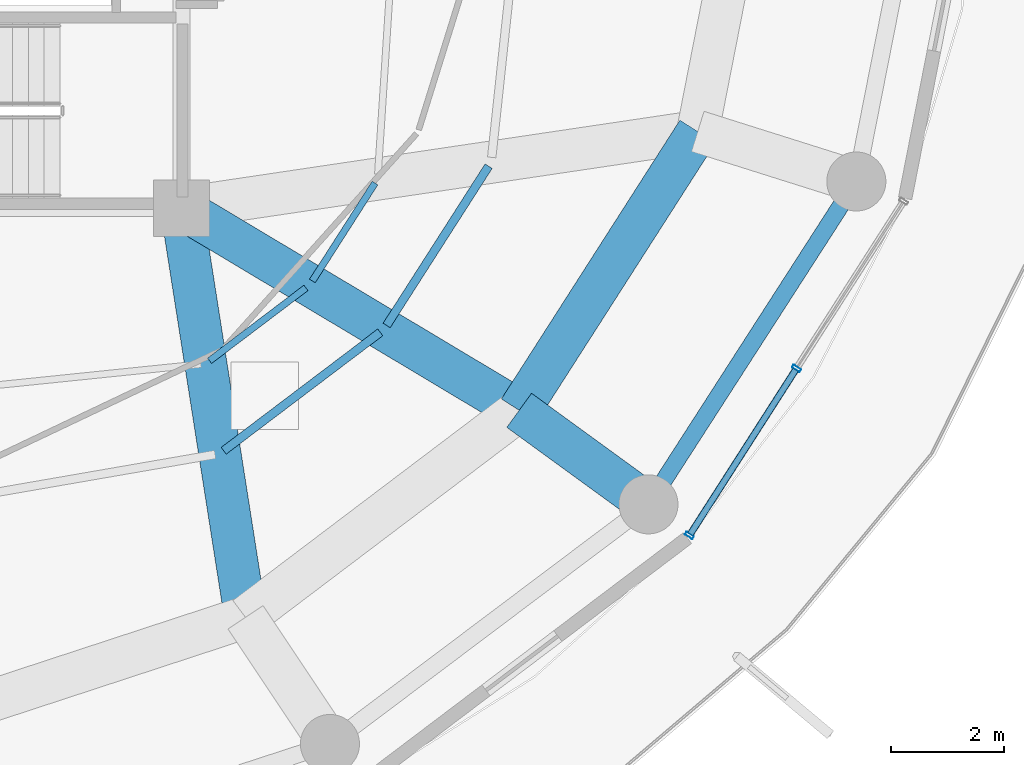
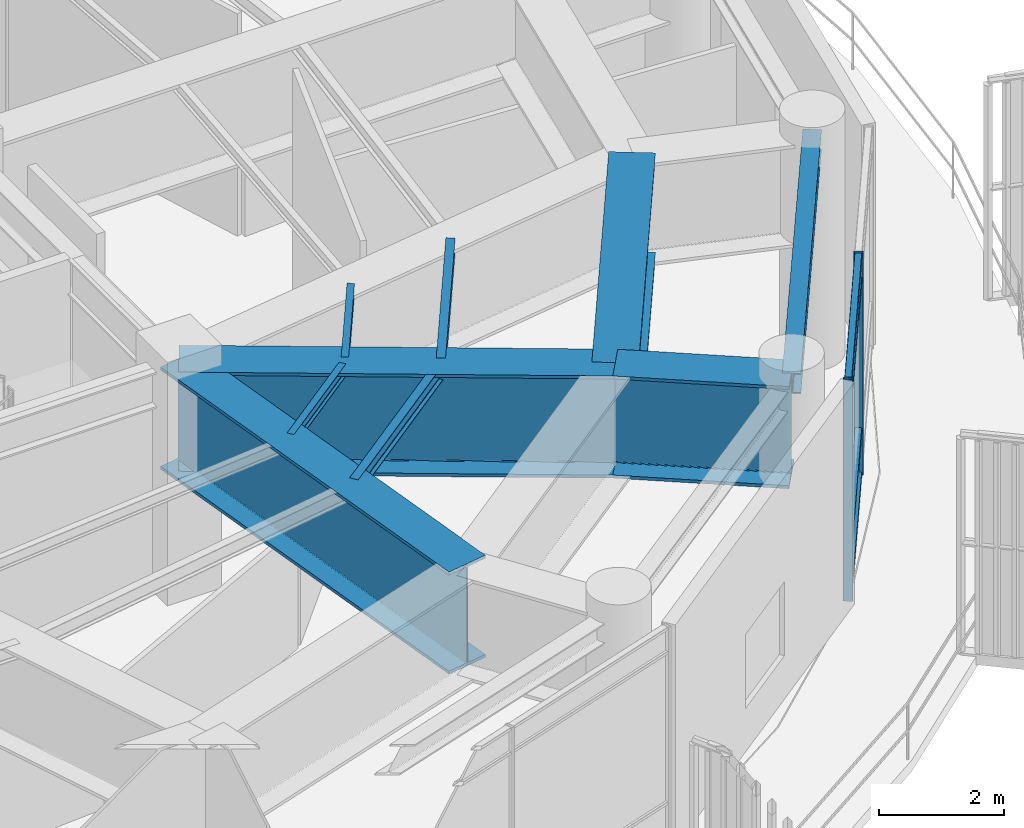
# One storey, part 11 of 29: 9 beams, 6 members, 1 element without a shape of its own.
"""IFC4 building model written with IfcOpenShell, lengths in metres."""

import ifcopenshell
import ifcopenshell.guid

model = None  # the IFC model being written
_history = None  # IfcOwnerHistory: only IFC2X3 demands one
_inside = {}  # id of a spatial element -> (the spatial element, [elements in it])
_under = {}  # id of a project, library or spatial element -> (it, [spatial elements below it])
_declared = {}  # id of a project -> (the project, [libraries it declares])
_typed = {}  # id of a type object -> (the type object, [elements of that type])
_made_of = {}  # id of a material, layer set ... -> (it, [elements and type objects made of it])


def new_model(schema):
    """Start an empty IFC model of exactly this schema.

    Asked for "IFC4X3", IfcOpenShell would pick the latest addendum, in which some entities
    have other attributes; the version numbers below select the first issue.
    IFC2X3 requires an IfcOwnerHistory on every rooted entity: one is made here for all.
    """
    global model, _history
    if schema == "IFC4X3":
        model = ifcopenshell.file(schema_version=(4, 3, 0, 0))
    else:
        model = ifcopenshell.file(schema=schema)
    _inside.clear()
    _under.clear()
    _declared.clear()
    _typed.clear()
    _made_of.clear()
    _history = None
    if model.schema == "IFC2X3":
        org = make("IfcOrganization", Name="unknown")
        user = make(
            "IfcPersonAndOrganization",
            ThePerson=make("IfcPerson", FamilyName="unknown"),
            TheOrganization=org,
        )
        app = make(
            "IfcApplication",
            ApplicationDeveloper=org,
            Version="unknown",
            ApplicationFullName="unknown",
            ApplicationIdentifier="unknown",
        )
        _history = make(
            "IfcOwnerHistory",
            OwningUser=user,
            OwningApplication=app,
            ChangeAction="ADDED",
            CreationDate=0,
        )
    return model


def make(cls, **values):
    """One entity of the class cls with the attributes given. An attribute that is None is left unset."""
    return model.create_entity(
        cls, **{name: value for name, value in values.items() if value is not None}
    )


def rooted(cls, **values):
    """An entity with a GlobalId (a new one), such as an element, a storey or a relation."""
    return make(cls, GlobalId=ifcopenshell.guid.new(), OwnerHistory=_history, **values)


def si_unit(unit_type, name, prefix=None):
    """IfcSIUnit, for example si_unit("LENGTHUNIT", "METRE", prefix="MILLI")."""
    return make("IfcSIUnit", UnitType=unit_type, Prefix=prefix, Name=name)


def assignment(units):
    """IfcUnitAssignment: the units of a project."""
    return None if units is None else make("IfcUnitAssignment", Units=units)


def point(xyz):
    """IfcCartesianPoint."""
    return None if xyz is None else make("IfcCartesianPoint", Coordinates=xyz)


def direction(xyz):
    """IfcDirection."""
    return None if xyz is None else make("IfcDirection", DirectionRatios=xyz)


def frame(location, z_axis=None, x_axis=None):
    """IfcAxis2Placement3D, a coordinate frame: its origin and axes. An axis left out is left unset."""
    return make(
        "IfcAxis2Placement3D",
        Location=point(location),
        Axis=direction(z_axis),
        RefDirection=direction(x_axis),
    )


def frame_2d(location, x_axis=None):
    """IfcAxis2Placement2D, a coordinate frame in the plane: its origin and x axis."""
    return make(
        "IfcAxis2Placement2D", Location=point(location), RefDirection=direction(x_axis)
    )


def origin():
    """The frame at (0, 0, 0) with its axes left unset."""
    return frame((0.0, 0.0, 0.0))


def origin_2d():
    """The frame at (0, 0) in the plane with its x axis left unset."""
    return frame_2d((0.0, 0.0))


def place(relative_to, where):
    """IfcLocalPlacement: puts the frame where relative to a parent placement (None: the world)."""
    return make(
        "IfcLocalPlacement", PlacementRelTo=relative_to, RelativePlacement=where
    )


def context(
    kind, dimensions, precision=None, world=None, true_north=None, identifier=None
):
    """IfcGeometricRepresentationContext, for example the 3D "Model" context."""
    return make(
        "IfcGeometricRepresentationContext",
        ContextIdentifier=identifier,
        ContextType=kind,
        CoordinateSpaceDimension=dimensions,
        Precision=precision,
        WorldCoordinateSystem=world,
        TrueNorth=true_north,
    )


def subcontext(parent, identifier, kind, view, scale=None):
    """IfcGeometricRepresentationSubContext, for example "Body" below "Model"."""
    return make(
        "IfcGeometricRepresentationSubContext",
        ContextIdentifier=identifier,
        ContextType=kind,
        ParentContext=parent,
        TargetScale=scale,
        TargetView=view,
    )


def project(units=None, contexts=None):
    """IfcProject with its units and contexts."""
    return rooted(
        "IfcProject",
        Name="project",
        RepresentationContexts=contexts,
        UnitsInContext=assignment(units),
    )


def spatial(cls, under=None, at=None, **own):
    """A site, building, storey or space (cls), placed at a placement, below another one or the project."""
    s = rooted(cls, ObjectPlacement=at, **own)
    if under is not None:
        _under.setdefault(under.id(), (under, []))[1].append(s)
    return s


def profile(cls, at=None, kind="AREA", **sizes):
    """A parametric profile (cls). Its sizes go by their IFC names, for example OverallWidth=200.0."""
    return make(cls, ProfileType=kind, Position=at, **sizes)


def hollow_rectangle(**sizes):
    """IfcRectangleHollowProfileDef."""
    return profile("IfcRectangleHollowProfileDef", **sizes)


def i_section(**sizes):
    """IfcIShapeProfileDef."""
    return profile("IfcIShapeProfileDef", **sizes)


def extrude(swept, where, along, depth):
    """IfcExtrudedAreaSolid: the profile swept, set in the frame where, extruded along a direction by depth."""
    return make(
        "IfcExtrudedAreaSolid",
        SweptArea=swept,
        Position=where,
        ExtrudedDirection=direction(along),
        Depth=depth,
    )


def shape(context_of_items, identifier, shape_type, items):
    """IfcShapeRepresentation: the items that make up one representation, for example the "Body"."""
    return make(
        "IfcShapeRepresentation",
        ContextOfItems=context_of_items,
        RepresentationIdentifier=identifier,
        RepresentationType=shape_type,
        Items=items,
    )


def material(Name=None, Category=None):
    """IfcMaterial."""
    return make("IfcMaterial", Name=Name, Category=Category)


def layer(
    of_material, thickness, ventilated=None, Name=None, Category=None, Priority=None
):
    """IfcMaterialLayer: one layer of a wall or slab, of a material (None: an air gap)."""
    return make(
        "IfcMaterialLayer",
        Material=of_material,
        LayerThickness=thickness,
        IsVentilated=ventilated,
        Name=Name,
        Category=Category,
        Priority=Priority,
    )


def layer_set(layers, Name=None):
    """IfcMaterialLayerSet."""
    return make("IfcMaterialLayerSet", MaterialLayers=layers, LayerSetName=Name)


def material_profile(
    of_material, cross_section, Name=None, Category=None, Priority=None
):
    """IfcMaterialProfile: a cross section and its material."""
    return make(
        "IfcMaterialProfile",
        Name=Name,
        Material=of_material,
        Profile=cross_section,
        Priority=Priority,
        Category=Category,
    )


def profile_set(profiles, Name=None, composite=None):
    """IfcMaterialProfileSet."""
    return make(
        "IfcMaterialProfileSet",
        Name=Name,
        MaterialProfiles=profiles,
        CompositeProfile=composite,
    )


def made_of(thing, what):
    """Note that an element or type object is made of a material, layer set ...; save() writes the relation."""
    if what is not None:
        _made_of.setdefault(what.id(), (what, []))[1].append(thing)
    return thing


def type_object(cls, material=None, **own):
    """A type object (cls), such as IfcWallType, which elements share."""
    return made_of(rooted(cls, **own), material)


def element(
    cls,
    number,
    at=None,
    inside=None,
    cuts=None,
    type_object=None,
    material=None,
    context=None,
    identifier="Body",
    shape_type=None,
    held_by="IfcProductDefinitionShape",
    body=None,
    shapes=None,
    **own,
):
    """One element of the class cls, such as IfcWall. Its Tag is "e" and its number.

    at: its placement. inside: the storey or other place that contains it. cuts: it is an
    opening in that element (IfcRelVoidsElement). A single representation is given by context,
    identifier, shape_type and body (its items); several are given by shapes. held_by: the class
    of the entity that holds the representations. save() writes the other relations.
    """
    e = rooted(cls, Tag="e%d" % number, ObjectPlacement=at, **own)
    if body is not None:
        shapes = [shape(context, identifier, shape_type, body)]
    if shapes is not None:
        e.Representation = make(held_by, Representations=shapes)
    if inside is not None:
        _inside.setdefault(inside.id(), (inside, []))[1].append(e)
    if cuts is not None:
        rooted(
            "IfcRelVoidsElement", RelatingBuildingElement=cuts, RelatedOpeningElement=e
        )
    if type_object is not None:
        _typed.setdefault(type_object.id(), (type_object, []))[1].append(e)
    return made_of(e, material)


def aggregate(whole, parts):
    """IfcRelAggregates: a whole, such as a stair, and the parts it consists of."""
    return rooted("IfcRelAggregates", RelatingObject=whole, RelatedObjects=parts)


def save(model, path):
    """Write the relations noted so far, then the file.

    IfcRelAggregates (storeys below a building ...), IfcRelContainedInSpatialStructure (elements
    in a storey), IfcRelDefinesByType, IfcRelAssociatesMaterial and IfcRelDeclares: one each for
    every whole, place, type object, material and project.
    """
    for whole, parts in _under.values():
        aggregate(whole, parts)
    for where, things in _inside.values():
        rooted(
            "IfcRelContainedInSpatialStructure",
            RelatedElements=things,
            RelatingStructure=where,
        )
    for kind, things in _typed.values():
        rooted("IfcRelDefinesByType", RelatedObjects=things, RelatingType=kind)
    for what, things in _made_of.values():
        rooted("IfcRelAssociatesMaterial", RelatedObjects=things, RelatingMaterial=what)
    for by, libraries in _declared.values():
        rooted("IfcRelDeclares", RelatingContext=by, RelatedDefinitions=libraries)
    model.write(path)


model = new_model("IFC4")

# Units and contexts
model_context = context("Model", 3, precision=1e-05, world=origin(), true_north=direction((0.0, 1.0)))
body_context = subcontext(model_context, "Body", "Model", "MODEL_VIEW")
ifc_project = project(units=[si_unit("LENGTHUNIT", "METRE"), si_unit("AREAUNIT", "SQUARE_METRE"), si_unit("VOLUMEUNIT", "CUBIC_METRE"), si_unit("PLANEANGLEUNIT", "RADIAN"), si_unit("MASSUNIT", "GRAM", prefix="KILO")], contexts=[model_context])

# Site, building, storey
site_placement = place(None, origin())
site = spatial("IfcSite", under=ifc_project, at=site_placement, CompositionType="ELEMENT")
building_placement = place(site_placement, origin())
building = spatial("IfcBuilding", under=site, at=building_placement, Name="Kelanora Arch Commons", CompositionType="ELEMENT")
storey_placement = place(building_placement, frame((0.0, 0.0, 238.199951171875)))
storey = spatial("IfcBuildingStorey", under=building, at=storey_placement, Name="L61", CompositionType="ELEMENT", Elevation=238.199951171875)

# Beams
ifc_material_1 = material(Name="Steel S355", Category="steel")
ifc_material_profile_1 = material_profile(ifc_material_1, i_section(OverallWidth=0.14990234375, OverallDepth=0.300048828125, WebThickness=0.007080078125, FlangeThickness=0.0107421875, FilletRadius=0.014892578125, at=origin_2d()), Name="IPE300")
ifc_profile_set_1 = profile_set([ifc_material_profile_1], Name="Steel S355")
beam_type_1 = type_object("IfcBeamType", Name="BM-JST-01", PredefinedType="JOIST", material=ifc_profile_set_1)
beam_1_placement = place(storey_placement, frame((82.751708984375, 46.68798828125, 4.2099609375), z_axis=(0.797499198801, 0.603320004568, 0.0), x_axis=(-0.603320004568, 0.797499198801, 0.0)))
element("IfcBeam", 1, at=beam_1_placement, inside=storey, type_object=beam_type_1, Name="Secondary Chord Joist BJB-30 L61", PredefinedType="JOIST", context=body_context, shape_type="SweptSolid", body=[
    extrude(i_section(OverallWidth=0.14990234375, OverallDepth=0.300048828125, WebThickness=0.007080078125, FlangeThickness=0.0107421875, FilletRadius=0.014892578125, at=origin_2d()), origin(), (0.0, 0.0, 1.0), 3.489013671875),
])
beam_2_placement = place(storey_placement, frame((85.647705078125, 48.915771484375, 4.2099609375), z_axis=(0.539321586177, 0.842099891155, 0.0), x_axis=(-0.842099891155, 0.539321586177, 0.0)))
element("IfcBeam", 2, at=beam_2_placement, inside=storey, type_object=beam_type_1, Name="Secondary Chord Joist BJB-32 L61", PredefinedType="JOIST", context=body_context, shape_type="SweptSolid", body=[
    extrude(i_section(OverallWidth=0.14990234375, OverallDepth=0.300048828125, WebThickness=0.007080078125, FlangeThickness=0.0107421875, FilletRadius=0.014892578125, at=origin_2d()), origin(), (0.0, 0.0, 1.0), 3.361572265625),
])
ifc_material_profile_2 = material_profile(ifc_material_1, i_section(OverallWidth=0.1201171875, OverallDepth=0.239990234375, WebThickness=0.006103515625, FlangeThickness=0.009765625, FilletRadius=0.014892578125, at=origin_2d()), Name="IPE240")
ifc_profile_set_2 = profile_set([ifc_material_profile_2], Name="Steel S355")
beam_type_2 = type_object("IfcBeamType", Name="BM-JST-02", PredefinedType="JOIST", material=ifc_profile_set_2)
beam_3_placement = place(storey_placement, frame((82.5009765625, 48.287841796875, 4.239990234375), z_axis=(0.797509883882, 0.603305880222, 0.0), x_axis=(-0.603305880222, 0.797509883882, 0.0)))
element("IfcBeam", 3, at=beam_3_placement, inside=storey, type_object=beam_type_2, Name="Secondary Chord Joist BJA-30 L61", PredefinedType="JOIST", context=body_context, shape_type="SweptSolid", body=[
    extrude(i_section(OverallWidth=0.1201171875, OverallDepth=0.239990234375, WebThickness=0.006103515625, FlangeThickness=0.009765625, FilletRadius=0.014892578125, at=origin_2d()), origin(), (0.0, 0.0, 1.0), 2.147216796875),
])
beam_4_placement = place(storey_placement, frame((84.3271484375, 49.706298828125, 4.239990234375), z_axis=(0.539311810315, 0.842106152011, 0.0), x_axis=(-0.842106152011, 0.539311810315, 0.0)))
element("IfcBeam", 4, at=beam_4_placement, inside=storey, type_object=beam_type_2, Name="Secondary Chord Joist BJA-32 L61", PredefinedType="JOIST", context=body_context, shape_type="SweptSolid", body=[
    extrude(i_section(OverallWidth=0.1201171875, OverallDepth=0.239990234375, WebThickness=0.006103515625, FlangeThickness=0.009765625, FilletRadius=0.014892578125, at=origin_2d()), origin(), (0.0, 0.0, 1.0), 2.06640625),
])
ifc_material_profile_3 = material_profile(ifc_material_1, i_section(OverallWidth=0.300048828125, OverallDepth=0.39990234375, WebThickness=0.013427734375, FlangeThickness=0.02392578125, FilletRadius=0.027099609375, at=origin_2d()), Name="HEB400")
ifc_profile_set_3 = profile_set([ifc_material_profile_3], Name="Steel S355")
beam_type_3 = type_object("IfcBeamType", Name="BM-SPN-Z4", PredefinedType="SPANDREL", material=ifc_profile_set_3)
beam_5_placement = place(storey_placement, frame((90.301513671875, 45.735595703125, 4.16015625), z_axis=(0.541364878868, 0.840787766281, 0.0), x_axis=(-0.840787766281, 0.541364878868, 0.0)))
element("IfcBeam", 5, at=beam_5_placement, inside=storey, type_object=beam_type_3, Name="Perimeter Spandrel Beam BS-32 L61", PredefinedType="SPANDREL", context=body_context, shape_type="SweptSolid", body=[
    extrude(i_section(OverallWidth=0.300048828125, OverallDepth=0.39990234375, WebThickness=0.013427734375, FlangeThickness=0.02392578125, FilletRadius=0.027099609375, at=origin_2d()), origin(), (0.0, 0.0, 1.0), 6.825439453125),
])
ifc_material_profile_4 = material_profile(ifc_material_1, i_section(OverallWidth=0.75, OverallDepth=2.0, WebThickness=0.034912109375, FlangeThickness=0.06005859375, FilletRadius=0.028076171875, at=origin_2d()), Name="PG2000x750")
ifc_profile_set_4 = profile_set([ifc_material_profile_4], Name="Steel S355")
beam_type_4 = type_object("IfcBeamType", Name="BM-XFER-SET", PredefinedType="USERDEFINED", material=ifc_profile_set_4)
beam_6_placement = place(storey_placement, frame((82.0, 51.0, 3.360107421875), z_axis=(0.154855424129, -0.987937142544, 0.0), x_axis=(0.987937142544, 0.154855424129, 0.0)))
element("IfcBeam", 6, at=beam_6_placement, inside=storey, type_object=beam_type_4, Name="Setback Radial Transfer Girder BRI-30 L61", ObjectType="TRANSFER_GIRDER", PredefinedType="USERDEFINED", context=body_context, shape_type="SweptSolid", body=[
    extrude(i_section(OverallWidth=0.75, OverallDepth=2.0, WebThickness=0.034912109375, FlangeThickness=0.06005859375, FilletRadius=0.028076171875, at=origin_2d()), origin(), (0.0, 0.0, 1.0), 7.361083984375),
])
beam_7_placement = place(storey_placement, frame((82.0, 51.0, 3.360107421875), z_axis=(0.858062005744, -0.513546097541, 0.0), x_axis=(0.513546097541, 0.858062005744, 0.0)))
element("IfcBeam", 7, at=beam_7_placement, inside=storey, type_object=beam_type_4, Name="Setback Radial Transfer Girder BRI-32 L61", ObjectType="TRANSFER_GIRDER", PredefinedType="USERDEFINED", context=body_context, shape_type="SweptSolid", body=[
    extrude(i_section(OverallWidth=0.75, OverallDepth=2.0, WebThickness=0.034912109375, FlangeThickness=0.06005859375, FilletRadius=0.028076171875, at=origin_2d()), origin(), (0.0, 0.0, 1.0), 6.99658203125),
])
beam_8_placement = place(storey_placement, frame((88.00341796875, 47.406982421875, 3.360107421875), z_axis=(0.808728653653, -0.588181914683, 0.0), x_axis=(0.588181914683, 0.808728653653, 0.0)))
element("IfcBeam", 8, at=beam_8_placement, inside=storey, type_object=beam_type_4, Name="Radial Floor Girder BR-32 L61", ObjectType="TRANSFER_GIRDER", PredefinedType="USERDEFINED", context=body_context, shape_type="SweptSolid", body=[
    extrude(i_section(OverallWidth=0.75, OverallDepth=2.0, WebThickness=0.034912109375, FlangeThickness=0.06005859375, FilletRadius=0.028076171875, at=origin_2d()), origin(), (0.0, 0.0, 1.0), 2.841552734375),
])
beam_9_placement = place(storey_placement, frame((88.00341796875, 47.406982421875, 3.360107421875), z_axis=(0.539280851353, 0.842125978322, 0.0), x_axis=(-0.842125978322, 0.539280851353, 0.0)))
element("IfcBeam", 9, at=beam_9_placement, inside=storey, type_object=beam_type_4, Name="Setback Inner Transfer Ring BSI-32 L61", ObjectType="TRANSFER_GIRDER", PredefinedType="USERDEFINED", context=body_context, shape_type="SweptSolid", body=[
    extrude(i_section(OverallWidth=0.75, OverallDepth=2.0, WebThickness=0.034912109375, FlangeThickness=0.06005859375, FilletRadius=0.028076171875, at=origin_2d()), origin(), (0.0, 0.0, 1.0), 5.8857421875),
])

# Curtain wall, members
ifc_material_2 = material(Name="Terracotta ceramic-fritted low-E glass and aluminium", Category="masonry")
ifc_layer = layer(ifc_material_2, 0.175048828125)
ifc_layer_set = layer_set([ifc_layer], Name="Terracotta ceramic-fritted low-E glass and aluminium")
curtain_wall_type = type_object("IfcCurtainWallType", Name="CW-SYS-02", PredefinedType="NOTDEFINED", material=ifc_layer_set)
curtain_wall_placement = place(storey_placement, origin())
curtain_wall = element("IfcCurtainWall", 10, at=curtain_wall_placement, inside=storey, type_object=curtain_wall_type, Name="Unitised Curtain Wall L61-B16", PredefinedType="NOTDEFINED")
ifc_material_3 = material(Name="Powder-coated aluminium terracotta", Category="masonry")
ifc_material_profile_5 = material_profile(ifc_material_3, hollow_rectangle(XDim=0.159912109375, YDim=0.06005859375, WallThickness=0.0048828125, InnerFilletRadius=0.0048828125, OuterFilletRadius=0.010009765625, at=origin_2d()), Name="CWM160x60")
ifc_profile_set_5 = profile_set([ifc_material_profile_5], Name="Powder-coated aluminium terracotta")
member_type_1 = type_object("IfcMemberType", Name="CWM-STD", PredefinedType="MULLION", material=ifc_profile_set_5)
member_1_placement = place(storey_placement, frame((91.030517578125, 45.18212890625, 0.0), z_axis=(0.0, 0.0, 1.0), x_axis=(-0.84194757539, 0.539559338994, 0.0)))
member_1 = element("IfcMember", 11, at=member_1_placement, type_object=member_type_1, Name="CW-02 mullion 1", PredefinedType="MULLION", context=body_context, shape_type="SweptSolid", body=[
    extrude(hollow_rectangle(XDim=0.159912109375, YDim=0.06005859375, WallThickness=0.0048828125, InnerFilletRadius=0.0048828125, OuterFilletRadius=0.010009765625, at=origin_2d()), origin(), (0.0, 0.0, 1.0), 4.344970703125),
])
member_2_placement = place(storey_placement, frame((92.93359375, 48.15185546875, 0.0), z_axis=(0.0, 0.0, 1.0), x_axis=(-0.84194757539, 0.539559338994, 0.0)))
member_2 = element("IfcMember", 12, at=member_2_placement, type_object=member_type_1, Name="CW-02 mullion 2", PredefinedType="MULLION", context=body_context, shape_type="SweptSolid", body=[
    extrude(hollow_rectangle(XDim=0.159912109375, YDim=0.06005859375, WallThickness=0.0048828125, InnerFilletRadius=0.0048828125, OuterFilletRadius=0.010009765625, at=origin_2d()), origin(), (0.0, 0.0, 1.0), 4.344970703125),
])
ifc_material_profile_6 = material_profile(ifc_material_3, hollow_rectangle(XDim=0.1201171875, YDim=0.06005859375, WallThickness=0.0048828125, InnerFilletRadius=0.0048828125, OuterFilletRadius=0.010009765625, at=origin_2d()), Name="CWT120x60")
ifc_profile_set_6 = profile_set([ifc_material_profile_6], Name="Powder-coated aluminium terracotta")
member_type_2 = type_object("IfcMemberType", Name="CWT-STD", PredefinedType="USERDEFINED", material=ifc_profile_set_6)
member_3_placement = place(storey_placement, frame((91.046630859375, 45.207275390625, 0.030029296875), z_axis=(0.53954710894, 0.841955412854, 0.0), x_axis=(-0.841955412854, 0.53954710894, 0.0)))
member_3 = element("IfcMember", 13, at=member_3_placement, type_object=member_type_2, Name="CW-02 transom 1.1", ObjectType="TRANSOM", PredefinedType="USERDEFINED", context=body_context, shape_type="SweptSolid", body=[
    extrude(hollow_rectangle(XDim=0.1201171875, YDim=0.06005859375, WallThickness=0.0048828125, InnerFilletRadius=0.0048828125, OuterFilletRadius=0.010009765625, at=origin_2d()), origin(), (0.0, 0.0, 1.0), 3.467529296875),
])
member_4_placement = place(storey_placement, frame((91.046630859375, 45.207275390625, 0.900146484375), z_axis=(0.53954710894, 0.841955412854, 0.0), x_axis=(-0.841955412854, 0.53954710894, 0.0)))
member_4 = element("IfcMember", 14, at=member_4_placement, type_object=member_type_2, Name="CW-02 transom 1.2", ObjectType="TRANSOM", PredefinedType="USERDEFINED", context=body_context, shape_type="SweptSolid", body=[
    extrude(hollow_rectangle(XDim=0.1201171875, YDim=0.06005859375, WallThickness=0.0048828125, InnerFilletRadius=0.0048828125, OuterFilletRadius=0.010009765625, at=origin_2d()), origin(), (0.0, 0.0, 1.0), 3.467529296875),
])
member_5_placement = place(storey_placement, frame((91.046630859375, 45.207275390625, 3.844970703125), z_axis=(0.53954710894, 0.841955412854, 0.0), x_axis=(-0.841955412854, 0.53954710894, 0.0)))
member_5 = element("IfcMember", 15, at=member_5_placement, type_object=member_type_2, Name="CW-02 transom 1.3", ObjectType="TRANSOM", PredefinedType="USERDEFINED", context=body_context, shape_type="SweptSolid", body=[
    extrude(hollow_rectangle(XDim=0.1201171875, YDim=0.06005859375, WallThickness=0.0048828125, InnerFilletRadius=0.0048828125, OuterFilletRadius=0.010009765625, at=origin_2d()), origin(), (0.0, 0.0, 1.0), 3.467529296875),
])
member_6_placement = place(storey_placement, frame((91.046630859375, 45.207275390625, 4.31494140625), z_axis=(0.53954710894, 0.841955412854, 0.0), x_axis=(-0.841955412854, 0.53954710894, 0.0)))
member_6 = element("IfcMember", 16, at=member_6_placement, type_object=member_type_2, Name="CW-02 transom 1.4", ObjectType="TRANSOM", PredefinedType="USERDEFINED", context=body_context, shape_type="SweptSolid", body=[
    extrude(hollow_rectangle(XDim=0.1201171875, YDim=0.06005859375, WallThickness=0.0048828125, InnerFilletRadius=0.0048828125, OuterFilletRadius=0.010009765625, at=origin_2d()), origin(), (0.0, 0.0, 1.0), 3.467529296875),
])
aggregate(curtain_wall, [member_1, member_2, member_3, member_4, member_5, member_6])

save(model, "model.ifc")
